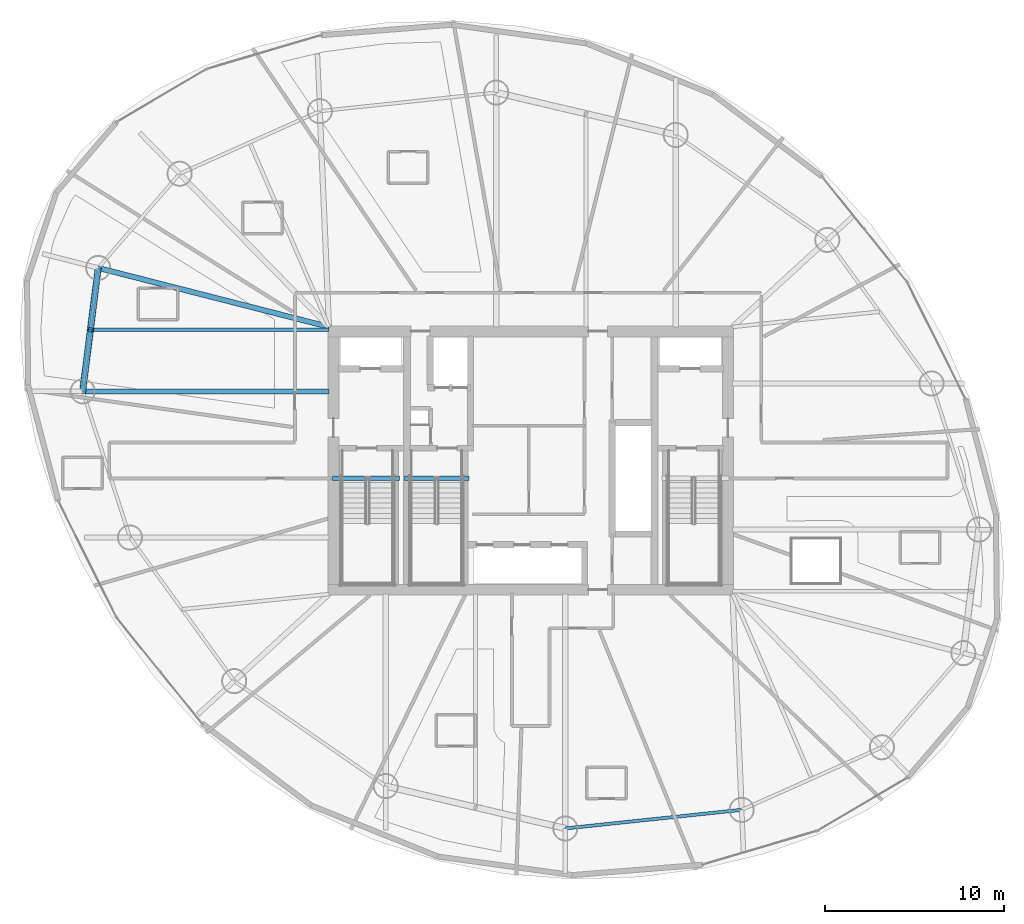
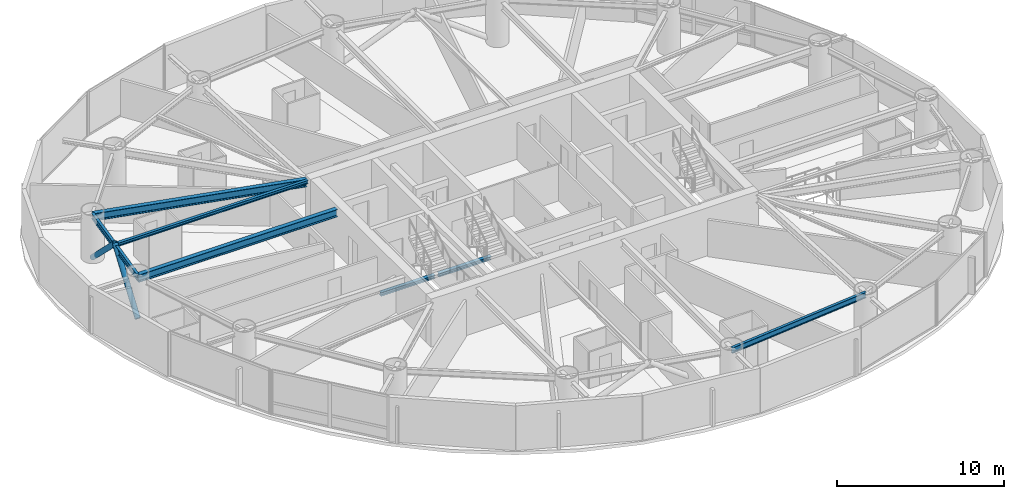
# One storey, part 5 of 24: 7 beams, 2 members.
"""IFC4 building model written with IfcOpenShell, lengths in metres."""

from ifc_helpers import new_model, si_unit, direction, frame, origin, origin_2d, place, context, subcontext, project, spatial, hollow_circle, i_section, extrude, material, material_profile, profile_set, type_object, element, save


model = new_model("IFC4")

# Units and contexts
model_context = context("Model", 3, precision=1e-05, world=origin(), true_north=direction((0.0, 1.0)))
body_context = subcontext(model_context, "Body", "Model", "MODEL_VIEW")
ifc_project = project(units=[si_unit("LENGTHUNIT", "METRE"), si_unit("AREAUNIT", "SQUARE_METRE"), si_unit("VOLUMEUNIT", "CUBIC_METRE"), si_unit("PLANEANGLEUNIT", "RADIAN"), si_unit("MASSUNIT", "GRAM", prefix="KILO")], contexts=[model_context])

# Site, building, storey
site_placement = place(None, origin())
site = spatial("IfcSite", under=ifc_project, at=site_placement, CompositionType="ELEMENT")
building_placement = place(site_placement, origin())
building = spatial("IfcBuilding", under=site, at=building_placement, Name="Bramvorn Convention Spire", CompositionType="ELEMENT")
storey_placement = place(building_placement, frame((0.0, 0.0, 148.300048828125)))
storey = spatial("IfcBuildingStorey", under=building, at=storey_placement, Name="L37", CompositionType="ELEMENT", Elevation=148.300048828125)

# Beams
ifc_material = material(Name="Steel CSA G40.21 Grade 350 (350W)", Category="steel")
ifc_material_profile_1 = material_profile(ifc_material, i_section(OverallWidth=0.201904296875, OverallDepth=0.2470703125, WebThickness=0.00732421875, FlangeThickness=0.010986328125, FilletRadius=0.011962890625, at=origin_2d()))
ifc_profile_set_1 = profile_set([ifc_material_profile_1], Name="Steel CSA G40.21 Grade 350 (350W) - W250X49")
beam_type_1 = type_object("IfcBeamType", Name="BM-W250X49", PredefinedType="JOIST", material=ifc_profile_set_1)
beam_1_placement = place(storey_placement, frame((26.75, 33.294921875, 3.136474609375), z_axis=(-1.0, 0.0, 0.0), x_axis=(0.0, -1.0, 0.0)))
element("IfcBeam", 1, at=beam_1_placement, inside=storey, type_object=beam_type_1, Name="L37 composite floor joist 09", PredefinedType="JOIST", context=body_context, shape_type="SweptSolid", body=[
    extrude(i_section(OverallWidth=0.201904296875, OverallDepth=0.2470703125, WebThickness=0.00732421875, FlangeThickness=0.010986328125, FilletRadius=0.011962890625, at=origin_2d()), origin(), (0.0, 0.0, 1.0), 13.30078125),
])
ifc_material_profile_2 = material_profile(ifc_material, i_section(OverallWidth=0.25390625, OverallDepth=0.2529296875, WebThickness=0.008544921875, FlangeThickness=0.01416015625, FilletRadius=0.011962890625, at=origin_2d()))
ifc_profile_set_2 = profile_set([ifc_material_profile_2], Name="Steel CSA G40.21 Grade 350 (350W) - W250X73")
beam_type_2 = type_object("IfcBeamType", Name="BM-W250X73", PredefinedType="BEAM", material=ifc_profile_set_2)
beam_2_placement = place(storey_placement, frame((26.949951171875, 25.010009765625, -0.12646484375), z_axis=(1.0, 0.0, 0.0), x_axis=(0.0, 1.0, 0.0)))
element("IfcBeam", 2, at=beam_2_placement, inside=storey, type_object=beam_type_2, Name="L37 ST1 stair arrival header beam", PredefinedType="BEAM", context=body_context, shape_type="SweptSolid", body=[
    extrude(i_section(OverallWidth=0.25390625, OverallDepth=0.2529296875, WebThickness=0.008544921875, FlangeThickness=0.01416015625, FilletRadius=0.011962890625, at=origin_2d()), origin(), (0.0, 0.0, 1.0), 3.739990234375),
])
beam_3_placement = place(storey_placement, frame((30.949951171875, 25.010009765625, -0.12646484375), z_axis=(1.0, 0.0, 0.0), x_axis=(0.0, 1.0, 0.0)))
element("IfcBeam", 3, at=beam_3_placement, inside=storey, type_object=beam_type_2, Name="L37 ST3 stair arrival header beam", PredefinedType="BEAM", context=body_context, shape_type="SweptSolid", body=[
    extrude(i_section(OverallWidth=0.25390625, OverallDepth=0.2529296875, WebThickness=0.008544921875, FlangeThickness=0.01416015625, FilletRadius=0.011962890625, at=origin_2d()), origin(), (0.0, 0.0, 1.0), 3.610107421875),
])
ifc_material_profile_3 = material_profile(ifc_material, i_section(OverallWidth=0.180908203125, OverallDepth=0.4169921875, WebThickness=0.010986328125, FlangeThickness=0.018310546875, FilletRadius=0.01611328125, at=origin_2d()))
ifc_profile_set_3 = profile_set([ifc_material_profile_3], Name="Steel CSA G40.21 Grade 350 (350W) - W410X85")
beam_type_3 = type_object("IfcBeamType", Name="BM-W410X85", PredefinedType="JOIST", material=ifc_profile_set_3)
beam_4_placement = place(storey_placement, frame((13.88232421875, 36.73779296875, 3.051513671875), z_axis=(-0.124775053879, -0.992185056292, 0.0), x_axis=(0.992185056292, -0.124775053879, 0.0)))
element("IfcBeam", 4, at=beam_4_placement, inside=storey, type_object=beam_type_3, Name="L37 mega-column ring beam 09", PredefinedType="JOIST", context=body_context, shape_type="SweptSolid", body=[
    extrude(i_section(OverallWidth=0.180908203125, OverallDepth=0.4169921875, WebThickness=0.010986328125, FlangeThickness=0.018310546875, FilletRadius=0.01611328125, at=origin_2d()), origin(), (0.0, 0.0, 1.0), 6.940185546875),
])
beam_5_placement = place(storey_placement, frame((39.924072265625, 5.482666015625, 3.051513671875), z_axis=(0.994473491975, 0.104987969596, 0.0), x_axis=(-0.104987969596, 0.994473491975, 0.0)))
element("IfcBeam", 5, at=beam_5_placement, inside=storey, type_object=beam_type_3, Name="L37 mega-column ring beam 14", PredefinedType="JOIST", context=body_context, shape_type="SweptSolid", body=[
    extrude(i_section(OverallWidth=0.180908203125, OverallDepth=0.4169921875, WebThickness=0.010986328125, FlangeThickness=0.018310546875, FilletRadius=0.01611328125, at=origin_2d()), origin(), (0.0, 0.0, 1.0), 9.892333984375),
])
ifc_material_profile_4 = material_profile(ifc_material, i_section(OverallWidth=0.2919921875, OverallDepth=0.551025390625, WebThickness=0.01513671875, FlangeThickness=0.0244140625, FilletRadius=0.01904296875, at=origin_2d()))
ifc_profile_set_4 = profile_set([ifc_material_profile_4], Name="Steel CSA G40.21 Grade 350 (350W) - W530X182")
beam_type_4 = type_object("IfcBeamType", Name="BM-W530X182", PredefinedType="BEAM", material=ifc_profile_set_4)
beam_6_placement = place(storey_placement, frame((26.75, 33.449951171875, 2.984375), z_axis=(-0.968872976577, 0.247558387576, 0.0), x_axis=(-0.247558387576, -0.968872976577, 0.0)))
element("IfcBeam", 6, at=beam_6_placement, inside=storey, type_object=beam_type_4, Name="L37 radial floor girder MC09", PredefinedType="BEAM", context=body_context, shape_type="SweptSolid", body=[
    extrude(i_section(OverallWidth=0.2919921875, OverallDepth=0.551025390625, WebThickness=0.01513671875, FlangeThickness=0.0244140625, FilletRadius=0.01904296875, at=origin_2d()), origin(), (0.0, 0.0, 1.0), 13.281005859375),
])
beam_7_placement = place(storey_placement, frame((26.75, 29.851806640625, 2.984375), z_axis=(-1.0, 0.0, 0.0), x_axis=(0.0, -1.0, 0.0)))
element("IfcBeam", 7, at=beam_7_placement, inside=storey, type_object=beam_type_4, Name="L37 radial floor girder MC10", PredefinedType="BEAM", context=body_context, shape_type="SweptSolid", body=[
    extrude(i_section(OverallWidth=0.2919921875, OverallDepth=0.551025390625, WebThickness=0.01513671875, FlangeThickness=0.0244140625, FilletRadius=0.01904296875, at=origin_2d()), origin(), (0.0, 0.0, 1.0), 13.733642578125),
])

# Members
ifc_material_profile_5 = material_profile(ifc_material, hollow_circle(Radius=0.177734375, WallThickness=0.015869140625, at=origin_2d()))
ifc_profile_set_5 = profile_set([ifc_material_profile_5], Name="Steel CSA G40.21 Grade 350 (350W) - CHS356X16")
member_type = type_object("IfcMemberType", Name="MBR-CHS356X16", PredefinedType="BRACE", material=ifc_profile_set_5)
for number, where, z_axis, x_axis, name in (
    (8, (13.88232421875, 36.73779296875, 0.0), (-0.090912229428, -0.723144484842, 0.684687534999), (0.992189958039, -0.124736070028, 0.0), "L37 perimeter Gothic lancet brace 9A"),
    (9, (13.016357421875, 29.851806640625, 0.0), (0.090966454148, 0.723116649599, 0.684709730683), (-0.992180152714, 0.124814039917, 0.0), "L37 perimeter Gothic lancet brace 9B"),
):
    element("IfcMember", number, at=place(storey_placement, frame(where, z_axis=z_axis, x_axis=x_axis)), inside=storey, type_object=member_type, Name=name, PredefinedType="BRACE", context=body_context, shape_type="SweptSolid", body=[
        extrude(hollow_circle(Radius=0.177734375, WallThickness=0.015869140625, at=origin_2d()), origin(), (0.0, 0.0, 1.0), 4.76123046875),
    ])

save(model, "model.ifc")
